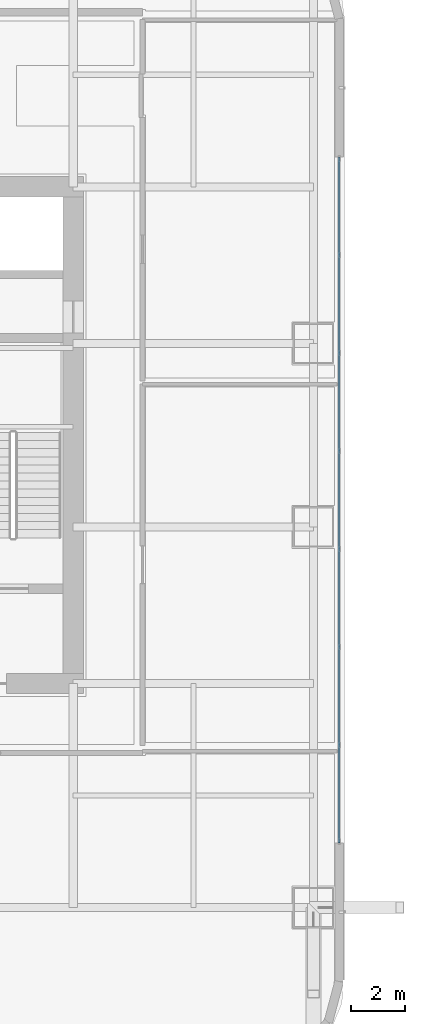
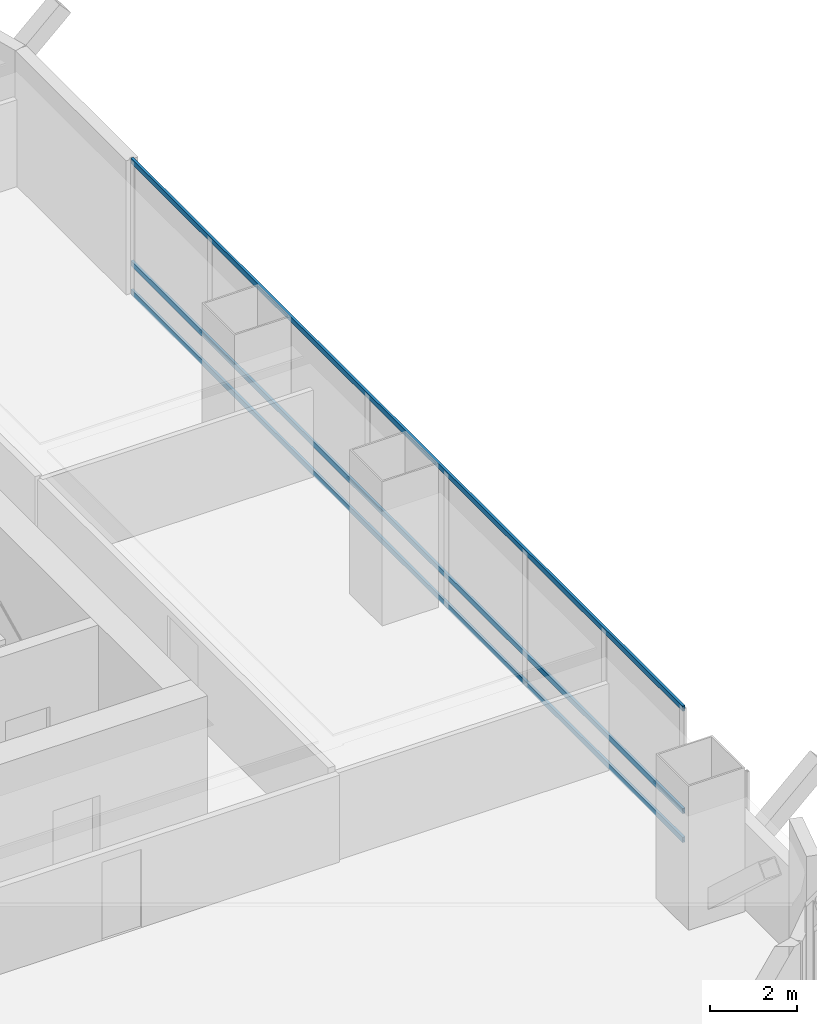
# One storey, part 15 of 45: 3 members, 1 element without a shape of its own.
"""IFC4 building model written with IfcOpenShell, lengths in metres."""

from ifc_helpers import new_model, si_unit, direction, frame, origin, origin_2d, place, context, subcontext, project, spatial, hollow_rectangle, extrude, material, material_profile, profile_set, type_object, element, aggregate, save


model = new_model("IFC4")

# Units and contexts
model_context = context("Model", 3, precision=1e-05, world=origin(), true_north=direction((0.0, 1.0)))
body_context = subcontext(model_context, "Body", "Model", "MODEL_VIEW")
ifc_project = project(units=[si_unit("LENGTHUNIT", "METRE"), si_unit("AREAUNIT", "SQUARE_METRE"), si_unit("VOLUMEUNIT", "CUBIC_METRE"), si_unit("PLANEANGLEUNIT", "RADIAN"), si_unit("MASSUNIT", "GRAM", prefix="KILO")], contexts=[model_context])

# Site, building, storey
site_placement = place(None, origin())
site = spatial("IfcSite", under=ifc_project, at=site_placement, CompositionType="ELEMENT")
building_placement = place(site_placement, origin())
building = spatial("IfcBuilding", under=site, at=building_placement, Name="Punatoya Terracotta Tower", CompositionType="ELEMENT")
storey_placement = place(building_placement, frame((0.0, 0.0, 56.550048828125)))
storey = spatial("IfcBuildingStorey", under=building, at=storey_placement, Name="L12", CompositionType="ELEMENT", Elevation=56.550048828125)

# Curtain wall, members
ifc_material_1 = material(Name="Aluminium 6063-T6 + Double Low-E Glass", Category="aluminium")
curtain_wall_type = type_object("IfcCurtainWallType", Name="CW-M1", PredefinedType="NOTDEFINED", material=ifc_material_1)
curtain_wall_placement = place(storey_placement, origin())
curtain_wall = element("IfcCurtainWall", 1, at=curtain_wall_placement, inside=storey, type_object=curtain_wall_type, Name="L12 Curtain Wall CW-L12-E05-1", PredefinedType="NOTDEFINED")
ifc_material_2 = material(Name="Aluminium 6063-T6", Category="aluminium")
ifc_material_profile = material_profile(ifc_material_2, hollow_rectangle(XDim=0.068115234375, YDim=0.14990234375, WallThickness=0.00390625, at=origin_2d()))
ifc_profile_set = profile_set([ifc_material_profile], Name="Aluminium 6063-T6")
member_type = type_object("IfcMemberType", Name="CW-TRN-TYP", PredefinedType="USERDEFINED", material=ifc_profile_set)
member_1_placement = place(storey_placement, frame((20.050048828125, -15.10009765625, 0.0400390625), z_axis=(0.0, 1.0, 0.0), x_axis=(-1.0, 0.0, 0.0)))
member_1 = element("IfcMember", 2, at=member_1_placement, type_object=member_type, Name="CW-L12-E05-1 Transom 1", ObjectType="TRANSOM", PredefinedType="USERDEFINED", context=body_context, shape_type="SweptSolid", body=[
    extrude(hollow_rectangle(XDim=0.068115234375, YDim=0.14990234375, WallThickness=0.00390625, at=origin_2d()), origin(), (0.0, 0.0, 1.0), 25.400146484375),
])
member_2_placement = place(storey_placement, frame((20.050048828125, -15.10009765625, 0.849853515625), z_axis=(0.0, 1.0, 0.0), x_axis=(-1.0, 0.0, 0.0)))
member_2 = element("IfcMember", 3, at=member_2_placement, type_object=member_type, Name="CW-L12-E05-1 Transom 2", ObjectType="TRANSOM", PredefinedType="USERDEFINED", context=body_context, shape_type="SweptSolid", body=[
    extrude(hollow_rectangle(XDim=0.068115234375, YDim=0.14990234375, WallThickness=0.00390625, at=origin_2d()), origin(), (0.0, 0.0, 1.0), 25.400146484375),
])
member_3_placement = place(storey_placement, frame((20.050048828125, -15.10009765625, 3.72998046875), z_axis=(0.0, 1.0, 0.0), x_axis=(-1.0, 0.0, 0.0)))
member_3 = element("IfcMember", 4, at=member_3_placement, type_object=member_type, Name="CW-L12-E05-1 Transom 3", ObjectType="TRANSOM", PredefinedType="USERDEFINED", context=body_context, shape_type="SweptSolid", body=[
    extrude(hollow_rectangle(XDim=0.068115234375, YDim=0.14990234375, WallThickness=0.00390625, at=origin_2d()), origin(), (0.0, 0.0, 1.0), 25.400146484375),
])
aggregate(curtain_wall, [member_1, member_2, member_3])

save(model, "model.ifc")
